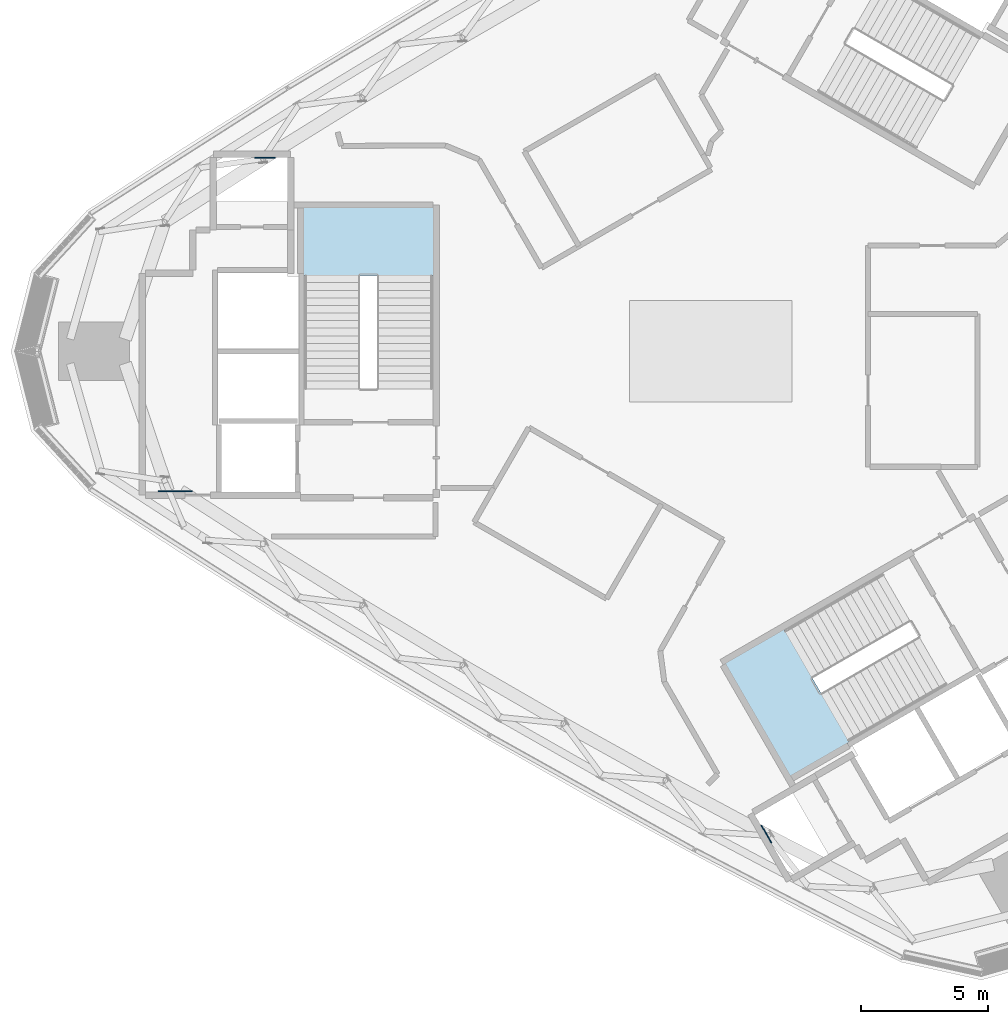
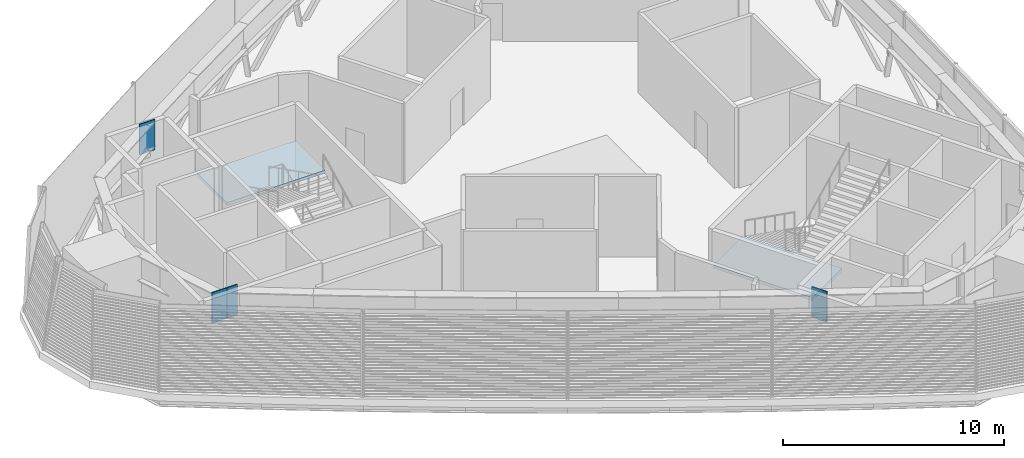
# One storey, part 4 of 18: 4 plates, 2 slabs, 2 elements without a shape of their own.
"""IFC4 building model written with IfcOpenShell, lengths in metres."""

from ifc_helpers import new_model, si_unit, direction, frame, origin, origin_2d, place, context, subcontext, project, spatial, polyline, rectangle, outline, extrude, material, layer, layer_set, type_object, element, aggregate, save


model = new_model("IFC4")

# Units and contexts
model_context = context("Model", 3, precision=1e-05, world=origin(), true_north=direction((0.0, 1.0)))
body_context = subcontext(model_context, "Body", "Model", "MODEL_VIEW")
ifc_project = project(units=[si_unit("LENGTHUNIT", "METRE"), si_unit("AREAUNIT", "SQUARE_METRE"), si_unit("VOLUMEUNIT", "CUBIC_METRE"), si_unit("PLANEANGLEUNIT", "RADIAN"), si_unit("MASSUNIT", "GRAM", prefix="KILO")], contexts=[model_context])

# Site, building, storey
site_placement = place(None, origin())
site = spatial("IfcSite", under=ifc_project, at=site_placement, CompositionType="ELEMENT")
building_placement = place(site_placement, origin())
building = spatial("IfcBuilding", under=site, at=building_placement, Name="Tamra Quay Hotel Tower", CompositionType="ELEMENT")
storey_placement = place(building_placement, frame((0.0, 0.0, 257.39990234375)))
storey = spatial("IfcBuildingStorey", under=building, at=storey_placement, Name="L65", CompositionType="ELEMENT", Elevation=257.39990234375)

# Plates
ifc_material_1 = material(Name="Structural steel IS 2062 E350", Category="steel")
ifc_layer_1 = layer(ifc_material_1, 0.0400390625)
ifc_layer_set_1 = layer_set([ifc_layer_1], Name="CAST IN PLATE 40")
plate_type = type_object("IfcPlateType", Name="CAST IN PLATE 40", PredefinedType="SHEET", material=ifc_layer_set_1)
for number, where, z_axis, x_axis, name in (
    (1, (-21.410400390625, -5.530029296875, 2.89990234375), (0.0, 0.0, 1.0), (0.0, 1.0, 0.0), "Cast-in plate EP-TC5-1"),
    (2, (-20.868896484375, -5.530029296875, 2.89990234375), (0.0, 0.0, 1.0), (0.0, 1.0, 0.0), "Cast-in plate EP-TC5-2"),
    (3, (-17.59423828125, 7.6298828125, 2.89990234375), (0.0, 0.0, 1.0), (0.0, -1.0, 0.0), "Cast-in plate EP-TC5-3"),
    (4, (2.189208984375, -19.052001953125, 2.89990234375), (0.0, 0.0, 1.0), (0.866025403784, 0.5, 0.0), "Cast-in plate EP-TC5-4"),
):
    element("IfcPlate", number, at=place(storey_placement, frame(where, z_axis=z_axis, x_axis=x_axis)), inside=storey, type_object=plate_type, Name=name, PredefinedType="SHEET", context=body_context, shape_type="SweptSolid", body=[
        extrude(rectangle(XDim=0.0400390625, YDim=0.800048828125, at=origin_2d()), origin(), (0.0, 0.0, 1.0), 1.699951171875),
    ])

# Stair, slab
ifc_material_2 = material(Name="Exit stair 2200 32 risers 150.0 going 299")
stair_type = type_object("IfcStairType", Name="Exit stair 2200 32 risers 150.0 going 299", PredefinedType="HALF_TURN_STAIR", material=ifc_material_2)
stair_1_placement = place(storey_placement, origin())
stair_1 = element("IfcStair", 5, at=stair_1_placement, inside=storey, type_object=stair_type, Name="L65 Exit stair ST3", PredefinedType="HALF_TURN_STAIR")
ifc_material_3 = material(Name="Concrete M70", Category="concrete")
ifc_layer_2 = layer(ifc_material_3, 0.175048828125)
ifc_layer_set_2 = layer_set([ifc_layer_2], Name="Concrete M70 stair landing 180")
slab_type = type_object("IfcSlabType", Name="Concrete M70 stair landing 180", PredefinedType="LANDING", material=ifc_layer_set_2)
slab_1_placement = place(storey_placement, frame((0.0, 0.0, 2.22509765625)))
slab_1 = element("IfcSlab", 6, at=slab_1_placement, type_object=slab_type, Name="ST3 landing 1", PredefinedType="LANDING", context=body_context, shape_type="SweptSolid", body=[
    extrude(outline(polyline([(-10.932373046875, 2.98486328125), (-10.932373046875, 5.679931640625), (-16.09130859375, 5.679931640625), (-16.09130859375, 2.98486328125), (-10.932373046875, 2.98486328125)])), origin(), (0.0, 0.0, 1.0), 0.175048828125),
])
aggregate(stair_1, [slab_1])

stair_2_placement = place(storey_placement, origin())
stair_2 = element("IfcStair", 7, at=stair_2_placement, inside=storey, type_object=stair_type, Name="L65 Exit stair ST2", PredefinedType="HALF_TURN_STAIR")
slab_2_placement = place(storey_placement, frame((0.0, 0.0, 2.22509765625)))
slab_2 = element("IfcSlab", 8, at=slab_2_placement, type_object=slab_type, Name="ST2 landing 1", PredefinedType="LANDING", context=body_context, shape_type="SweptSolid", body=[
    extrude(outline(polyline([(2.881103515625, -10.960205078125), (0.547119140625, -12.3076171875), (3.126708984375, -16.775390625), (5.460693359375, -15.427978515625), (2.881103515625, -10.960205078125)])), origin(), (0.0, 0.0, 1.0), 0.175048828125),
])
aggregate(stair_2, [slab_2])

save(model, "model.ifc")
